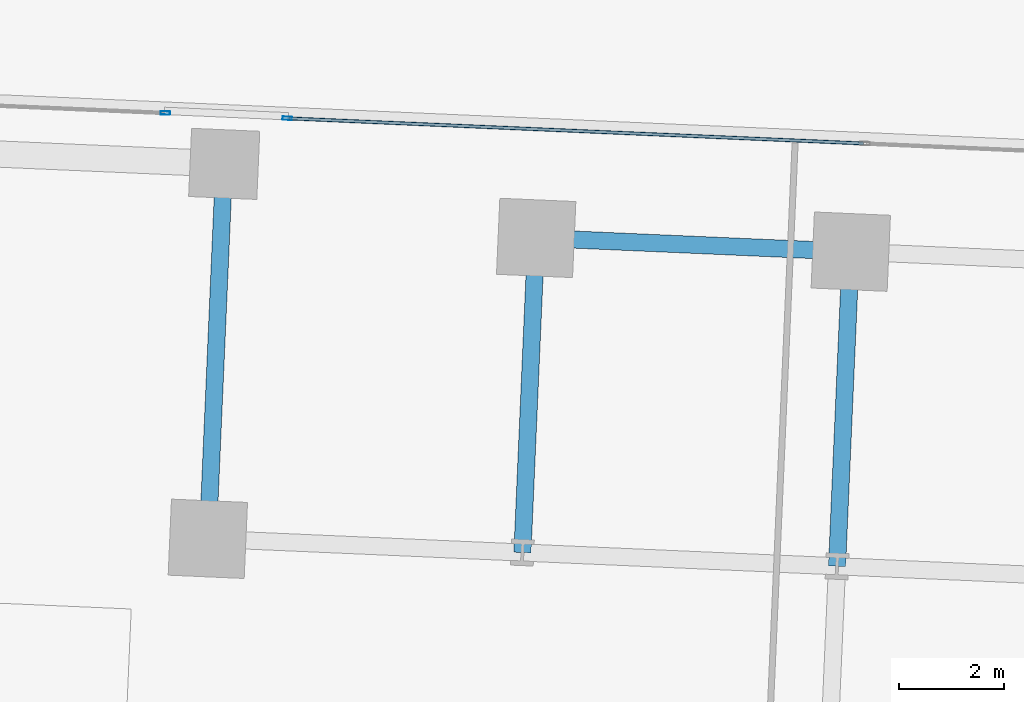
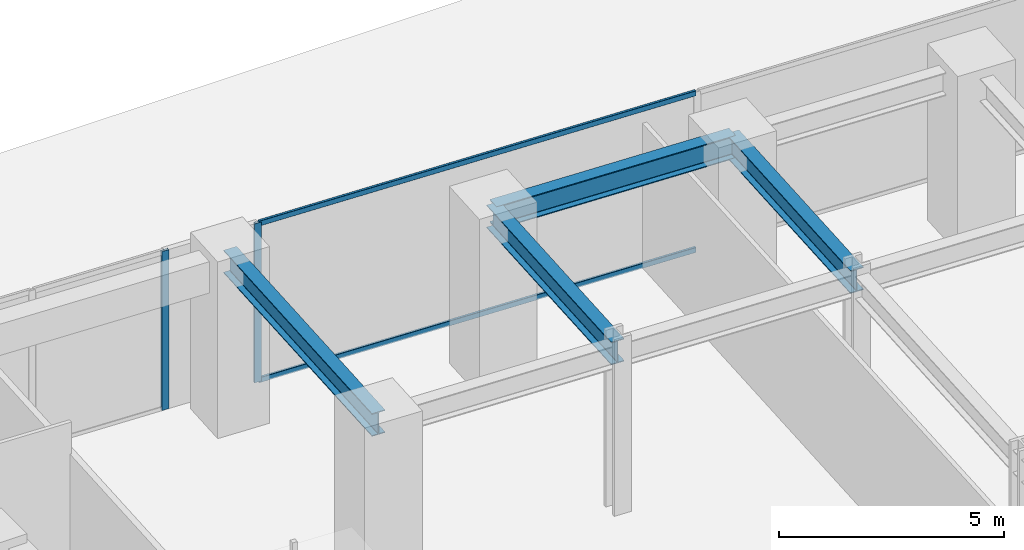
# One storey, part 22 of 33: 4 beams, 4 members, 2 elements without a shape of their own.
"""IFC4 building model written with IfcOpenShell, lengths in metres."""

from ifc_helpers import new_model, si_unit, direction, frame, origin, origin_2d, place, context, subcontext, project, spatial, hollow_rectangle, i_section, extrude, source, transform, mapped, material, material_profile, profile_set, type_object, element, aggregate, save


model = new_model("IFC4")

# Units and contexts
model_context = context("Model", 3, precision=1e-05, world=origin(), true_north=direction((0.0, 1.0)))
body_context = subcontext(model_context, "Body", "Model", "MODEL_VIEW")
ifc_project = project(units=[si_unit("LENGTHUNIT", "METRE"), si_unit("AREAUNIT", "SQUARE_METRE"), si_unit("VOLUMEUNIT", "CUBIC_METRE"), si_unit("PLANEANGLEUNIT", "RADIAN"), si_unit("MASSUNIT", "GRAM", prefix="KILO")], contexts=[model_context])

# Site, building, storey
site_placement = place(None, origin())
site = spatial("IfcSite", under=ifc_project, at=site_placement, CompositionType="ELEMENT")
building_placement = place(site_placement, origin())
building = spatial("IfcBuilding", under=site, at=building_placement, Name="Torre Montelarca", CompositionType="ELEMENT")
storey_placement = place(building_placement, frame((0.0, 0.0, 32.800048828125)))
storey = spatial("IfcBuildingStorey", under=building, at=storey_placement, Name="L07", CompositionType="ELEMENT", Elevation=32.800048828125)

# Beams
ifc_material_1 = material(Name="Steel ASTM A992 Grade 50", Category="steel")
ifc_material_profile_1 = material_profile(ifc_material_1, i_section(OverallWidth=0.326904296875, OverallDepth=0.6220703125, WebThickness=0.015380859375, FlangeThickness=0.0244140625, FilletRadius=0.014892578125, at=origin_2d()), Name="W610X195", Category="steel")
ifc_profile_set_1 = profile_set([ifc_material_profile_1], Name="Steel ASTM A992 Grade 50")
beam_type = type_object("IfcBeamType", Name="BM-G-W610H", PredefinedType="BEAM", material=ifc_profile_set_1)
shared_shape_1 = source(origin(), body_context, "Body", "SweptSolid", [
    extrude(i_section(OverallWidth=0.326904296875, OverallDepth=0.6220703125, WebThickness=0.015380859375, FlangeThickness=0.0244140625, FilletRadius=0.014892578125, at=origin_2d()), origin(), (0.0, 0.0, 1.0), 6.0),
])
for number, where, z_axis, x_axis, name in (
    (1, (42.329345703125, 39.09814453125, 4.2490234375), (0.043659709683, 0.999046460256, 0.0), (-0.999046460256, 0.043659709683, 0.0), "L07 Grid Girder Y 40.0-46.0 at X=42.0"),
    (2, (48.32373046875, 38.83642578125, 4.2490234375), (0.043619097751, 0.999048234227, 0.0), (-0.999048234227, 0.043619097751, 0.0), "L07 Grid Girder Y 40.0-46.0 at X=48.0"),
):
    element("IfcBeam", number, at=place(storey_placement, frame(where, z_axis=z_axis, x_axis=x_axis)), inside=storey, type_object=beam_type, Name=name, PredefinedType="BEAM", context=body_context, shape_type="MappedRepresentation", body=[
        mapped(shared_shape_1, transform((0.0, 0.0, 0.0), scale=1.0)),
    ])
shared_shape_2 = source(origin(), body_context, "Body", "SweptSolid", [
    extrude(i_section(OverallWidth=0.326904296875, OverallDepth=0.6220703125, WebThickness=0.015380859375, FlangeThickness=0.0244140625, FilletRadius=0.014892578125, at=origin_2d()), origin(), (0.0, 0.0, 1.0), 5.999755859375),
])
beam_1_placement = place(storey_placement, frame((42.59130859375, 45.092529296875, 4.2490234375), z_axis=(0.999048156805, -0.043620870972, 0.0), x_axis=(0.043620870972, 0.999048156805, 0.0)))
element("IfcBeam", 3, at=beam_1_placement, inside=storey, type_object=beam_type, Name="L07 Grid Girder X 42.0-48.0 at Y=46.0", PredefinedType="BEAM", context=body_context, shape_type="MappedRepresentation", body=[
    mapped(shared_shape_2, transform((0.0, 0.0, 0.0), scale=1.0)),
])
shared_shape_3 = source(origin(), body_context, "Body", "SweptSolid", [
    extrude(i_section(OverallWidth=0.326904296875, OverallDepth=0.6220703125, WebThickness=0.015380859375, FlangeThickness=0.0244140625, FilletRadius=0.014892578125, at=origin_2d()), origin(), (0.0, 0.0, 1.0), 7.150146484375),
])
beam_2_placement = place(storey_placement, frame((36.335205078125, 39.35986328125, 4.2490234375), z_axis=(0.043603181324, 0.999048929021, 0.0), x_axis=(-0.999048929021, 0.043603181324, 0.0)))
element("IfcBeam", 4, at=beam_2_placement, inside=storey, type_object=beam_type, Name="L07 Grid Girder Y 40.0-47.1 at X=36.0", PredefinedType="BEAM", context=body_context, shape_type="MappedRepresentation", body=[
    mapped(shared_shape_3, transform((0.0, 0.0, 0.0), scale=1.0)),
])

# Curtain wall, member
ifc_material_2 = material(Name="Insulated low-E laminated glass", Category="glass")
curtain_wall_type = type_object("IfcCurtainWallType", Name="CW-SYS-Z1", PredefinedType="USERDEFINED", material=ifc_material_2)
curtain_wall_1_placement = place(storey_placement, origin())
curtain_wall_1 = element("IfcCurtainWall", 5, at=curtain_wall_1_placement, inside=storey, type_object=curtain_wall_type, Name="L07 Curtain Wall Run CW-T3-L07-E08-B1", ObjectType="UNITISED GLAZING", PredefinedType="USERDEFINED")
ifc_material_3 = material(Name="Anodised aluminium AA 6063-T6", Category="aluminium")
ifc_material_profile_2 = material_profile(ifc_material_3, hollow_rectangle(XDim=0.06494140625, YDim=0.179931640625, WallThickness=0.00390625, InnerFilletRadius=0.00390625, OuterFilletRadius=0.008056640625, at=origin_2d()), Name="ALU65X180X4", Category="aluminium")
ifc_profile_set_2 = profile_set([ifc_material_profile_2], Name="Anodised aluminium AA 6063-T6")
member_type_1 = type_object("IfcMemberType", Name="CWM-ALU180", PredefinedType="MULLION", material=ifc_profile_set_2)
shared_shape_4 = source(origin(), body_context, "Body", "SweptSolid", [
    extrude(hollow_rectangle(XDim=0.06494140625, YDim=0.179931640625, WallThickness=0.00390625, InnerFilletRadius=0.00390625, OuterFilletRadius=0.008056640625, at=origin_2d()), origin(), (0.0, 0.0, 1.0), 4.320068359375),
])
member_1_placement = place(storey_placement, frame((37.8486328125, 47.37158203125, 0.0), z_axis=(0.0, 0.0, 1.0), x_axis=(-0.043620788577, -0.999048160403, 0.0)))
member_1 = element("IfcMember", 6, at=member_1_placement, type_object=member_type_1, Name="CW mullion 3", PredefinedType="MULLION", context=body_context, shape_type="MappedRepresentation", body=[
    mapped(shared_shape_4, transform((0.0, 0.0, 0.0), scale=1.0)),
])

curtain_wall_2_placement = place(storey_placement, origin())
curtain_wall_2 = element("IfcCurtainWall", 7, at=curtain_wall_2_placement, inside=storey, type_object=curtain_wall_type, Name="L07 Curtain Wall Run CW-T3-L07-E08-B2", ObjectType="UNITISED GLAZING", PredefinedType="USERDEFINED")
member_2_placement = place(storey_placement, frame((35.525634765625, 47.472900390625, 0.0), z_axis=(0.0, 0.0, 1.0), x_axis=(-0.043620726206, -0.999048163126, 0.0)))
member_2 = element("IfcMember", 8, at=member_2_placement, type_object=member_type_1, Name="CW mullion 1", PredefinedType="MULLION", context=body_context, shape_type="MappedRepresentation", body=[
    mapped(shared_shape_4, transform((0.0, 0.0, 0.0), scale=1.0)),
])
aggregate(curtain_wall_2, [member_2])

# Member
ifc_material_profile_3 = material_profile(ifc_material_3, hollow_rectangle(XDim=0.06494140625, YDim=0.139892578125, WallThickness=0.00390625, InnerFilletRadius=0.00390625, OuterFilletRadius=0.008056640625, at=origin_2d()), Name="ALU65X140X4", Category="aluminium")
ifc_profile_set_3 = profile_set([ifc_material_profile_3], Name="Anodised aluminium AA 6063-T6")
member_type_2 = type_object("IfcMemberType", Name="CWT-ALU140", PredefinedType="USERDEFINED", material=ifc_profile_set_3)
shared_shape_5 = source(origin(), body_context, "Body", "SweptSolid", [
    extrude(hollow_rectangle(XDim=0.06494140625, YDim=0.139892578125, WallThickness=0.00390625, InnerFilletRadius=0.00390625, OuterFilletRadius=0.008056640625, at=origin_2d()), origin(), (0.0, 0.0, 1.0), 10.95458984375),
])
member_3_placement = place(storey_placement, frame((48.8251953125, 46.892333984375, 0.032470703125), z_axis=(-0.999048405217, 0.04361518123, 0.0), x_axis=(-0.04361518123, -0.999048405217, 0.0)))
member_3 = element("IfcMember", 9, at=member_3_placement, type_object=member_type_2, Name="CW transom 2.1", ObjectType="TRANSOM", PredefinedType="USERDEFINED", context=body_context, shape_type="MappedRepresentation", body=[
    mapped(shared_shape_5, transform((0.0, 0.0, 0.0), scale=1.0)),
])

member_4_placement = place(storey_placement, frame((48.8251953125, 46.892333984375, 4.287353515625), z_axis=(-0.999048405217, 0.04361518123, 0.0), x_axis=(-0.04361518123, -0.999048405217, 0.0)))
member_4 = element("IfcMember", 10, at=member_4_placement, type_object=member_type_2, Name="CW transom 2.2", ObjectType="TRANSOM", PredefinedType="USERDEFINED", context=body_context, shape_type="MappedRepresentation", body=[
    mapped(shared_shape_5, transform((0.0, 0.0, 0.0), scale=1.0)),
])

aggregate(curtain_wall_1, [member_1, member_3, member_4])

save(model, "model.ifc")
